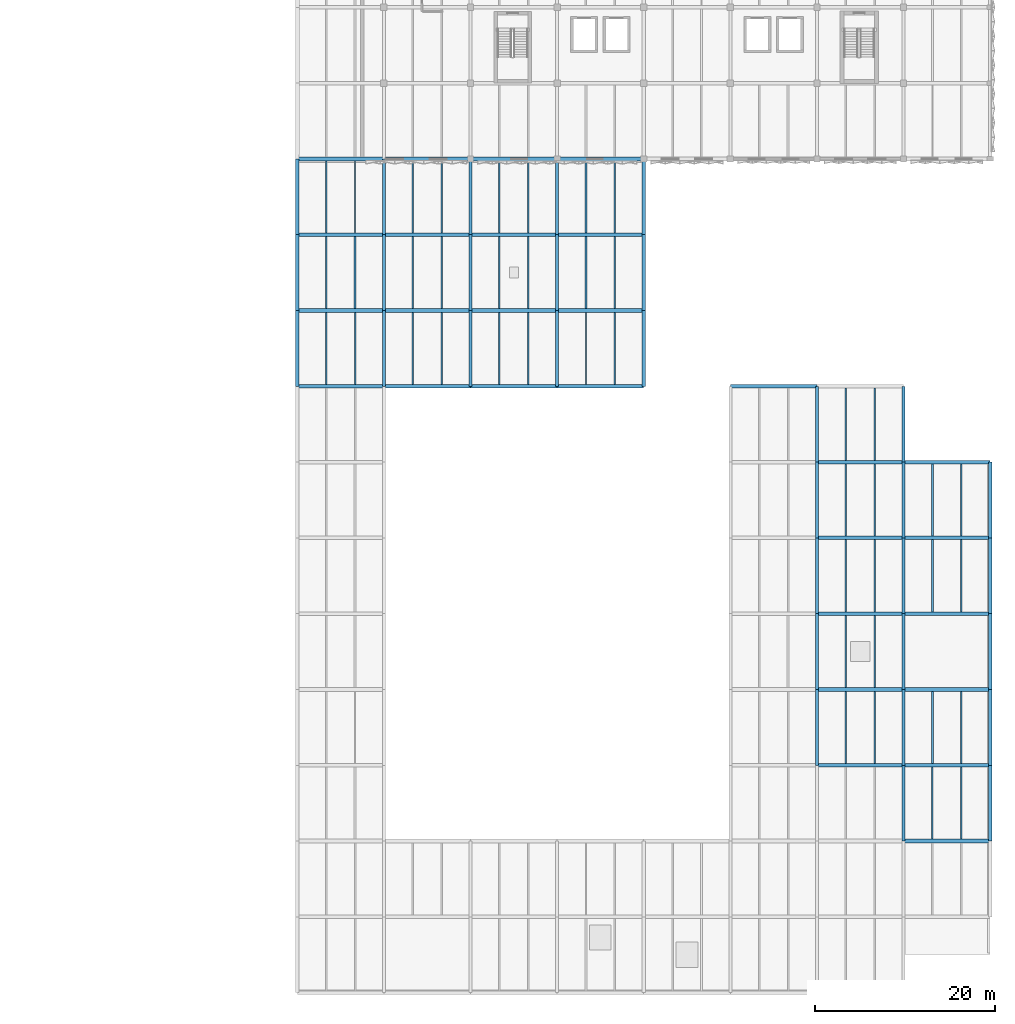
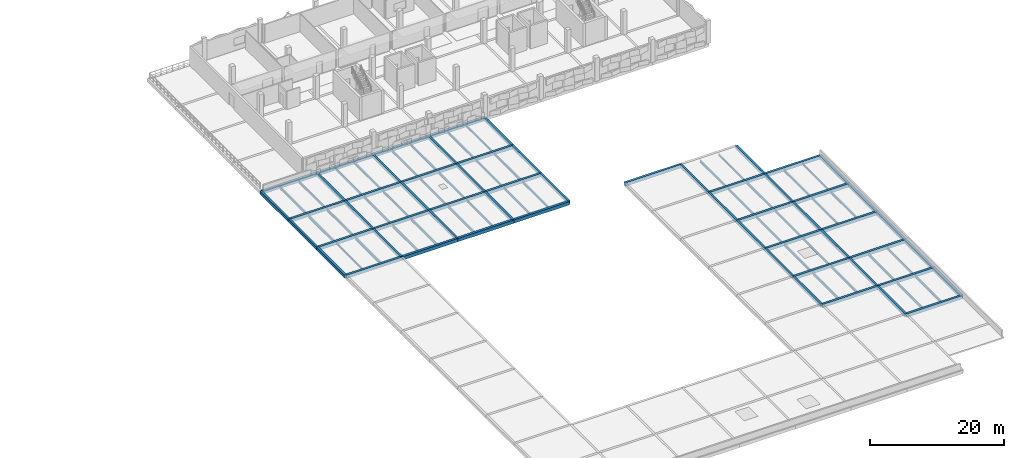
# One storey, part 5 of 24: 101 beams.
"""IFC4 building model written with IfcOpenShell, lengths in metres."""

from ifc_helpers import new_model, si_unit, direction, frame, origin, origin_2d, place, context, subcontext, project, spatial, rectangle, i_section, extrude, material, material_profile, profile_set, type_object, element, save


model = new_model("IFC4")

# Units and contexts
model_context = context("Model", 3, precision=1e-05, world=origin(), true_north=direction((0.0, 1.0)))
body_context = subcontext(model_context, "Body", "Model", "MODEL_VIEW")
ifc_project = project(units=[si_unit("LENGTHUNIT", "METRE"), si_unit("AREAUNIT", "SQUARE_METRE"), si_unit("VOLUMEUNIT", "CUBIC_METRE"), si_unit("PLANEANGLEUNIT", "RADIAN"), si_unit("MASSUNIT", "GRAM", prefix="KILO")], contexts=[model_context])

# Site, building, storey
site_placement = place(None, origin())
site = spatial("IfcSite", under=ifc_project, at=site_placement, CompositionType="ELEMENT")
building_placement = place(site_placement, origin())
building = spatial("IfcBuilding", under=site, at=building_placement, Name="Oolite Switchyard Hospital", CompositionType="ELEMENT")
storey_placement = place(building_placement, frame((0.0, 0.0, 22.0)))
storey = spatial("IfcBuildingStorey", under=building, at=storey_placement, Name="L05", CompositionType="ELEMENT", Elevation=22.0)

# Beams
ifc_material_1 = material(Name="Concrete C40/50", Category="concrete")
ifc_material_profile_1 = material_profile(ifc_material_1, rectangle(XDim=0.35009765625, YDim=0.550048828125, at=origin_2d()), Name="RCB350X550")
ifc_profile_set_1 = profile_set([ifc_material_profile_1], Name="Concrete C40/50")
beam_type_1 = type_object("IfcBeamType", Name="BM-RC350X550", PredefinedType="BEAM", material=ifc_profile_set_1)
for number, where, z_axis, x_axis, name in (
    (1, (134.39990234375, 75.60009765625, -0.27490234375), (0.0, 1.0, 0.0), (-1.0, 0.0, 0.0), "L05 Y-Girder 3476"),
    (2, (134.39990234375, 84.0, -0.27490234375), (0.0, 1.0, 0.0), (-1.0, 0.0, 0.0), "L05 Y-Girder 3477"),
):
    element("IfcBeam", number, at=place(storey_placement, frame(where, z_axis=z_axis, x_axis=x_axis)), inside=storey, type_object=beam_type_1, Name=name, PredefinedType="BEAM", context=body_context, shape_type="SweptSolid", body=[
        extrude(rectangle(XDim=0.35009765625, YDim=0.550048828125, at=origin_2d()), origin(), (0.0, 0.0, 1.0), 8.39990234375),
    ])
beam_1_placement = place(storey_placement, frame((134.39990234375, 92.39990234375, -0.27490234375), z_axis=(0.0, 1.0, 0.0), x_axis=(-1.0, 0.0, 0.0)))
element("IfcBeam", 3, at=beam_1_placement, inside=storey, type_object=beam_type_1, Name="L05 Y-Girder 3478", PredefinedType="BEAM", context=body_context, shape_type="SweptSolid", body=[
    extrude(rectangle(XDim=0.35009765625, YDim=0.550048828125, at=origin_2d()), origin(), (0.0, 0.0, 1.0), 8.400146484375),
])
for number, where, z_axis, x_axis, name in (
    (4, (144.0, 75.60009765625, -0.27490234375), (0.0, 1.0, 0.0), (-1.0, 0.0, 0.0), "L05 Y-Girder 3491"),
    (5, (144.0, 84.0, -0.27490234375), (0.0, 1.0, 0.0), (-1.0, 0.0, 0.0), "L05 Y-Girder 3492"),
):
    element("IfcBeam", number, at=place(storey_placement, frame(where, z_axis=z_axis, x_axis=x_axis)), inside=storey, type_object=beam_type_1, Name=name, PredefinedType="BEAM", context=body_context, shape_type="SweptSolid", body=[
        extrude(rectangle(XDim=0.35009765625, YDim=0.550048828125, at=origin_2d()), origin(), (0.0, 0.0, 1.0), 8.39990234375),
    ])
beam_2_placement = place(storey_placement, frame((144.0, 92.39990234375, -0.27490234375), z_axis=(0.0, 1.0, 0.0), x_axis=(-1.0, 0.0, 0.0)))
element("IfcBeam", 6, at=beam_2_placement, inside=storey, type_object=beam_type_1, Name="L05 Y-Girder 3493", PredefinedType="BEAM", context=body_context, shape_type="SweptSolid", body=[
    extrude(rectangle(XDim=0.35009765625, YDim=0.550048828125, at=origin_2d()), origin(), (0.0, 0.0, 1.0), 8.400146484375),
])
for number, where, z_axis, x_axis, name in (
    (7, (153.60009765625, 75.60009765625, -0.27490234375), (0.0, 1.0, 0.0), (-1.0, 0.0, 0.0), "L05 Y-Girder 3500"),
    (8, (153.60009765625, 84.0, -0.27490234375), (0.0, 1.0, 0.0), (-1.0, 0.0, 0.0), "L05 Y-Girder 3501"),
):
    element("IfcBeam", number, at=place(storey_placement, frame(where, z_axis=z_axis, x_axis=x_axis)), inside=storey, type_object=beam_type_1, Name=name, PredefinedType="BEAM", context=body_context, shape_type="SweptSolid", body=[
        extrude(rectangle(XDim=0.35009765625, YDim=0.550048828125, at=origin_2d()), origin(), (0.0, 0.0, 1.0), 8.39990234375),
    ])
beam_3_placement = place(storey_placement, frame((153.60009765625, 92.39990234375, -0.27490234375), z_axis=(0.0, 1.0, 0.0), x_axis=(-1.0, 0.0, 0.0)))
element("IfcBeam", 9, at=beam_3_placement, inside=storey, type_object=beam_type_1, Name="L05 Y-Girder 3502", PredefinedType="BEAM", context=body_context, shape_type="SweptSolid", body=[
    extrude(rectangle(XDim=0.35009765625, YDim=0.550048828125, at=origin_2d()), origin(), (0.0, 0.0, 1.0), 8.400146484375),
])
for number, where, z_axis, x_axis, name in (
    (10, (163.199951171875, 75.60009765625, -0.27490234375), (0.0, 1.0, 0.0), (-1.0, 0.0, 0.0), "L05 Y-Girder 3509"),
    (11, (163.199951171875, 84.0, -0.27490234375), (0.0, 1.0, 0.0), (-1.0, 0.0, 0.0), "L05 Y-Girder 3510"),
):
    element("IfcBeam", number, at=place(storey_placement, frame(where, z_axis=z_axis, x_axis=x_axis)), inside=storey, type_object=beam_type_1, Name=name, PredefinedType="BEAM", context=body_context, shape_type="SweptSolid", body=[
        extrude(rectangle(XDim=0.35009765625, YDim=0.550048828125, at=origin_2d()), origin(), (0.0, 0.0, 1.0), 8.39990234375),
    ])
beam_4_placement = place(storey_placement, frame((163.199951171875, 92.39990234375, -0.27490234375), z_axis=(0.0, 1.0, 0.0), x_axis=(-1.0, 0.0, 0.0)))
element("IfcBeam", 12, at=beam_4_placement, inside=storey, type_object=beam_type_1, Name="L05 Y-Girder 3511", PredefinedType="BEAM", context=body_context, shape_type="SweptSolid", body=[
    extrude(rectangle(XDim=0.35009765625, YDim=0.550048828125, at=origin_2d()), origin(), (0.0, 0.0, 1.0), 8.400146484375),
])
for number, where, z_axis, x_axis, name in (
    (13, (172.800048828125, 75.60009765625, -0.27490234375), (0.0, 1.0, 0.0), (-1.0, 0.0, 0.0), "L05 Y-Girder 3518"),
    (14, (172.800048828125, 84.0, -0.27490234375), (0.0, 1.0, 0.0), (-1.0, 0.0, 0.0), "L05 Y-Girder 3519"),
):
    element("IfcBeam", number, at=place(storey_placement, frame(where, z_axis=z_axis, x_axis=x_axis)), inside=storey, type_object=beam_type_1, Name=name, PredefinedType="BEAM", context=body_context, shape_type="SweptSolid", body=[
        extrude(rectangle(XDim=0.35009765625, YDim=0.550048828125, at=origin_2d()), origin(), (0.0, 0.0, 1.0), 8.39990234375),
    ])
beam_5_placement = place(storey_placement, frame((172.800048828125, 92.39990234375, -0.27490234375), z_axis=(0.0, 1.0, 0.0), x_axis=(-1.0, 0.0, 0.0)))
element("IfcBeam", 15, at=beam_5_placement, inside=storey, type_object=beam_type_1, Name="L05 Y-Girder 3520", PredefinedType="BEAM", context=body_context, shape_type="SweptSolid", body=[
    extrude(rectangle(XDim=0.35009765625, YDim=0.550048828125, at=origin_2d()), origin(), (0.0, 0.0, 1.0), 8.400146484375),
])
for number, where, z_axis, x_axis, name in (
    (16, (192.0, 33.60009765625, -0.27490234375), (0.0, 1.0, 0.0), (-1.0, 0.0, 0.0), "L05 Y-Girder 3540"),
    (17, (192.0, 42.0, -0.27490234375), (0.0, 1.0, 0.0), (-1.0, 0.0, 0.0), "L05 Y-Girder 3541"),
):
    element("IfcBeam", number, at=place(storey_placement, frame(where, z_axis=z_axis, x_axis=x_axis)), inside=storey, type_object=beam_type_1, Name=name, PredefinedType="BEAM", context=body_context, shape_type="SweptSolid", body=[
        extrude(rectangle(XDim=0.35009765625, YDim=0.550048828125, at=origin_2d()), origin(), (0.0, 0.0, 1.0), 8.39990234375),
    ])
beam_6_placement = place(storey_placement, frame((192.0, 50.39990234375, -0.27490234375), z_axis=(0.0, 1.0, 0.0), x_axis=(-1.0, 0.0, 0.0)))
element("IfcBeam", 18, at=beam_6_placement, inside=storey, type_object=beam_type_1, Name="L05 Y-Girder 3542", PredefinedType="BEAM", context=body_context, shape_type="SweptSolid", body=[
    extrude(rectangle(XDim=0.35009765625, YDim=0.550048828125, at=origin_2d()), origin(), (0.0, 0.0, 1.0), 8.400146484375),
])
beam_7_placement = place(storey_placement, frame((192.0, 58.800048828125, -0.27490234375), z_axis=(0.0, 1.0, 0.0), x_axis=(-1.0, 0.0, 0.0)))
element("IfcBeam", 19, at=beam_7_placement, inside=storey, type_object=beam_type_1, Name="L05 Y-Girder 3543", PredefinedType="BEAM", context=body_context, shape_type="SweptSolid", body=[
    extrude(rectangle(XDim=0.35009765625, YDim=0.550048828125, at=origin_2d()), origin(), (0.0, 0.0, 1.0), 8.39990234375),
])
for number, where, z_axis, x_axis, name in (
    (20, (192.0, 67.199951171875, -0.27490234375), (0.0, 1.0, 0.0), (-1.0, 0.0, 0.0), "L05 Y-Girder 3544"),
    (21, (201.60009765625, 25.199951171875, -0.27490234375), (0.0, 1.0, 0.0), (-1.0, 0.0, 0.0), "L05 Y-Girder 3551"),
):
    element("IfcBeam", number, at=place(storey_placement, frame(where, z_axis=z_axis, x_axis=x_axis)), inside=storey, type_object=beam_type_1, Name=name, PredefinedType="BEAM", context=body_context, shape_type="SweptSolid", body=[
        extrude(rectangle(XDim=0.35009765625, YDim=0.550048828125, at=origin_2d()), origin(), (0.0, 0.0, 1.0), 8.400146484375),
    ])
for number, where, z_axis, x_axis, name in (
    (22, (201.60009765625, 33.60009765625, -0.27490234375), (0.0, 1.0, 0.0), (-1.0, 0.0, 0.0), "L05 Y-Girder 3552"),
    (23, (201.60009765625, 42.0, -0.27490234375), (0.0, 1.0, 0.0), (-1.0, 0.0, 0.0), "L05 Y-Girder 3553"),
):
    element("IfcBeam", number, at=place(storey_placement, frame(where, z_axis=z_axis, x_axis=x_axis)), inside=storey, type_object=beam_type_1, Name=name, PredefinedType="BEAM", context=body_context, shape_type="SweptSolid", body=[
        extrude(rectangle(XDim=0.35009765625, YDim=0.550048828125, at=origin_2d()), origin(), (0.0, 0.0, 1.0), 8.39990234375),
    ])
beam_8_placement = place(storey_placement, frame((201.60009765625, 50.39990234375, -0.27490234375), z_axis=(0.0, 1.0, 0.0), x_axis=(-1.0, 0.0, 0.0)))
element("IfcBeam", 24, at=beam_8_placement, inside=storey, type_object=beam_type_1, Name="L05 Y-Girder 3554", PredefinedType="BEAM", context=body_context, shape_type="SweptSolid", body=[
    extrude(rectangle(XDim=0.35009765625, YDim=0.550048828125, at=origin_2d()), origin(), (0.0, 0.0, 1.0), 8.400146484375),
])
beam_9_placement = place(storey_placement, frame((201.60009765625, 58.800048828125, -0.27490234375), z_axis=(0.0, 1.0, 0.0), x_axis=(-1.0, 0.0, 0.0)))
element("IfcBeam", 25, at=beam_9_placement, inside=storey, type_object=beam_type_1, Name="L05 Y-Girder 3555", PredefinedType="BEAM", context=body_context, shape_type="SweptSolid", body=[
    extrude(rectangle(XDim=0.35009765625, YDim=0.550048828125, at=origin_2d()), origin(), (0.0, 0.0, 1.0), 8.39990234375),
])
beam_10_placement = place(storey_placement, frame((201.60009765625, 67.199951171875, -0.27490234375), z_axis=(0.0, 1.0, 0.0), x_axis=(-1.0, 0.0, 0.0)))
element("IfcBeam", 26, at=beam_10_placement, inside=storey, type_object=beam_type_1, Name="L05 Y-Girder 3556", PredefinedType="BEAM", context=body_context, shape_type="SweptSolid", body=[
    extrude(rectangle(XDim=0.35009765625, YDim=0.550048828125, at=origin_2d()), origin(), (0.0, 0.0, 1.0), 8.400146484375),
])
ifc_material_profile_2 = material_profile(ifc_material_1, rectangle(XDim=0.39990234375, YDim=0.60009765625, at=origin_2d()), Name="RCB400X600")
ifc_profile_set_2 = profile_set([ifc_material_profile_2], Name="Concrete C40/50")
beam_type_2 = type_object("IfcBeamType", Name="BM-RC400X600", PredefinedType="BEAM", material=ifc_profile_set_2)
beam_11_placement = place(storey_placement, frame((201.60009765625, 25.199951171875, -0.300048828125), z_axis=(1.0, 0.0, 0.0), x_axis=(0.0, 1.0, 0.0)))
element("IfcBeam", 27, at=beam_11_placement, inside=storey, type_object=beam_type_2, Name="L05 X-Girder 3353", PredefinedType="BEAM", context=body_context, shape_type="SweptSolid", body=[
    extrude(rectangle(XDim=0.39990234375, YDim=0.60009765625, at=origin_2d()), origin(), (0.0, 0.0, 1.0), 9.599853515625),
])
beam_12_placement = place(storey_placement, frame((192.0, 33.60009765625, -0.300048828125), z_axis=(1.0, 0.0, 0.0), x_axis=(0.0, 1.0, 0.0)))
element("IfcBeam", 28, at=beam_12_placement, inside=storey, type_object=beam_type_2, Name="L05 X-Girder 3358", PredefinedType="BEAM", context=body_context, shape_type="SweptSolid", body=[
    extrude(rectangle(XDim=0.39990234375, YDim=0.60009765625, at=origin_2d()), origin(), (0.0, 0.0, 1.0), 9.60009765625),
])
beam_13_placement = place(storey_placement, frame((201.60009765625, 33.60009765625, -0.300048828125), z_axis=(1.0, 0.0, 0.0), x_axis=(0.0, 1.0, 0.0)))
element("IfcBeam", 29, at=beam_13_placement, inside=storey, type_object=beam_type_2, Name="L05 X-Girder 3359", PredefinedType="BEAM", context=body_context, shape_type="SweptSolid", body=[
    extrude(rectangle(XDim=0.39990234375, YDim=0.60009765625, at=origin_2d()), origin(), (0.0, 0.0, 1.0), 9.599853515625),
])
beam_14_placement = place(storey_placement, frame((192.0, 42.0, -0.300048828125), z_axis=(1.0, 0.0, 0.0), x_axis=(0.0, 1.0, 0.0)))
element("IfcBeam", 30, at=beam_14_placement, inside=storey, type_object=beam_type_2, Name="L05 X-Girder 3365", PredefinedType="BEAM", context=body_context, shape_type="SweptSolid", body=[
    extrude(rectangle(XDim=0.39990234375, YDim=0.60009765625, at=origin_2d()), origin(), (0.0, 0.0, 1.0), 9.60009765625),
])
beam_15_placement = place(storey_placement, frame((201.60009765625, 42.0, -0.300048828125), z_axis=(1.0, 0.0, 0.0), x_axis=(0.0, 1.0, 0.0)))
element("IfcBeam", 31, at=beam_15_placement, inside=storey, type_object=beam_type_2, Name="L05 X-Girder 3366", PredefinedType="BEAM", context=body_context, shape_type="SweptSolid", body=[
    extrude(rectangle(XDim=0.39990234375, YDim=0.60009765625, at=origin_2d()), origin(), (0.0, 0.0, 1.0), 9.599853515625),
])
beam_16_placement = place(storey_placement, frame((192.0, 50.39990234375, -0.300048828125), z_axis=(1.0, 0.0, 0.0), x_axis=(0.0, 1.0, 0.0)))
element("IfcBeam", 32, at=beam_16_placement, inside=storey, type_object=beam_type_2, Name="L05 X-Girder 3372", PredefinedType="BEAM", context=body_context, shape_type="SweptSolid", body=[
    extrude(rectangle(XDim=0.39990234375, YDim=0.60009765625, at=origin_2d()), origin(), (0.0, 0.0, 1.0), 9.60009765625),
])
beam_17_placement = place(storey_placement, frame((201.60009765625, 50.39990234375, -0.300048828125), z_axis=(1.0, 0.0, 0.0), x_axis=(0.0, 1.0, 0.0)))
element("IfcBeam", 33, at=beam_17_placement, inside=storey, type_object=beam_type_2, Name="L05 X-Girder 3373", PredefinedType="BEAM", context=body_context, shape_type="SweptSolid", body=[
    extrude(rectangle(XDim=0.39990234375, YDim=0.60009765625, at=origin_2d()), origin(), (0.0, 0.0, 1.0), 9.599853515625),
])
beam_18_placement = place(storey_placement, frame((192.0, 58.800048828125, -0.300048828125), z_axis=(1.0, 0.0, 0.0), x_axis=(0.0, 1.0, 0.0)))
element("IfcBeam", 34, at=beam_18_placement, inside=storey, type_object=beam_type_2, Name="L05 X-Girder 3379", PredefinedType="BEAM", context=body_context, shape_type="SweptSolid", body=[
    extrude(rectangle(XDim=0.39990234375, YDim=0.60009765625, at=origin_2d()), origin(), (0.0, 0.0, 1.0), 9.60009765625),
])
beam_19_placement = place(storey_placement, frame((201.60009765625, 58.800048828125, -0.300048828125), z_axis=(1.0, 0.0, 0.0), x_axis=(0.0, 1.0, 0.0)))
element("IfcBeam", 35, at=beam_19_placement, inside=storey, type_object=beam_type_2, Name="L05 X-Girder 3380", PredefinedType="BEAM", context=body_context, shape_type="SweptSolid", body=[
    extrude(rectangle(XDim=0.39990234375, YDim=0.60009765625, at=origin_2d()), origin(), (0.0, 0.0, 1.0), 9.599853515625),
])
beam_20_placement = place(storey_placement, frame((192.0, 67.199951171875, -0.300048828125), z_axis=(1.0, 0.0, 0.0), x_axis=(0.0, 1.0, 0.0)))
element("IfcBeam", 36, at=beam_20_placement, inside=storey, type_object=beam_type_2, Name="L05 X-Girder 3386", PredefinedType="BEAM", context=body_context, shape_type="SweptSolid", body=[
    extrude(rectangle(XDim=0.39990234375, YDim=0.60009765625, at=origin_2d()), origin(), (0.0, 0.0, 1.0), 9.60009765625),
])
beam_21_placement = place(storey_placement, frame((201.60009765625, 67.199951171875, -0.300048828125), z_axis=(1.0, 0.0, 0.0), x_axis=(0.0, 1.0, 0.0)))
element("IfcBeam", 37, at=beam_21_placement, inside=storey, type_object=beam_type_2, Name="L05 X-Girder 3387", PredefinedType="BEAM", context=body_context, shape_type="SweptSolid", body=[
    extrude(rectangle(XDim=0.39990234375, YDim=0.60009765625, at=origin_2d()), origin(), (0.0, 0.0, 1.0), 9.599853515625),
])
for number, where, z_axis, x_axis, name in (
    (38, (134.39990234375, 75.60009765625, -0.300048828125), (1.0, 0.0, 0.0), (0.0, 1.0, 0.0), "L05 X-Girder 3391"),
    (39, (144.0, 75.60009765625, -0.300048828125), (1.0, 0.0, 0.0), (0.0, 1.0, 0.0), "L05 X-Girder 3392"),
):
    element("IfcBeam", number, at=place(storey_placement, frame(where, z_axis=z_axis, x_axis=x_axis)), inside=storey, type_object=beam_type_2, Name=name, PredefinedType="BEAM", context=body_context, shape_type="SweptSolid", body=[
        extrude(rectangle(XDim=0.39990234375, YDim=0.60009765625, at=origin_2d()), origin(), (0.0, 0.0, 1.0), 9.60009765625),
    ])
beam_22_placement = place(storey_placement, frame((153.60009765625, 75.60009765625, -0.300048828125), z_axis=(1.0, 0.0, 0.0), x_axis=(0.0, 1.0, 0.0)))
element("IfcBeam", 40, at=beam_22_placement, inside=storey, type_object=beam_type_2, Name="L05 X-Girder 3393", PredefinedType="BEAM", context=body_context, shape_type="SweptSolid", body=[
    extrude(rectangle(XDim=0.39990234375, YDim=0.60009765625, at=origin_2d()), origin(), (0.0, 0.0, 1.0), 9.599853515625),
])
for number, where, z_axis, x_axis, name in (
    (41, (163.199951171875, 75.60009765625, -0.300048828125), (1.0, 0.0, 0.0), (0.0, 1.0, 0.0), "L05 X-Girder 3394"),
    (42, (182.39990234375, 75.60009765625, -0.300048828125), (1.0, 0.0, 0.0), (0.0, 1.0, 0.0), "L05 X-Girder 3395"),
    (43, (134.39990234375, 84.0, -0.300048828125), (1.0, 0.0, 0.0), (0.0, 1.0, 0.0), "L05 X-Girder 3399"),
    (44, (144.0, 84.0, -0.300048828125), (1.0, 0.0, 0.0), (0.0, 1.0, 0.0), "L05 X-Girder 3400"),
):
    element("IfcBeam", number, at=place(storey_placement, frame(where, z_axis=z_axis, x_axis=x_axis)), inside=storey, type_object=beam_type_2, Name=name, PredefinedType="BEAM", context=body_context, shape_type="SweptSolid", body=[
        extrude(rectangle(XDim=0.39990234375, YDim=0.60009765625, at=origin_2d()), origin(), (0.0, 0.0, 1.0), 9.60009765625),
    ])
beam_23_placement = place(storey_placement, frame((153.60009765625, 84.0, -0.300048828125), z_axis=(1.0, 0.0, 0.0), x_axis=(0.0, 1.0, 0.0)))
element("IfcBeam", 45, at=beam_23_placement, inside=storey, type_object=beam_type_2, Name="L05 X-Girder 3401", PredefinedType="BEAM", context=body_context, shape_type="SweptSolid", body=[
    extrude(rectangle(XDim=0.39990234375, YDim=0.60009765625, at=origin_2d()), origin(), (0.0, 0.0, 1.0), 9.599853515625),
])
for number, where, z_axis, x_axis, name in (
    (46, (163.199951171875, 84.0, -0.300048828125), (1.0, 0.0, 0.0), (0.0, 1.0, 0.0), "L05 X-Girder 3402"),
    (47, (134.39990234375, 92.39990234375, -0.300048828125), (1.0, 0.0, 0.0), (0.0, 1.0, 0.0), "L05 X-Girder 3403"),
    (48, (144.0, 92.39990234375, -0.300048828125), (1.0, 0.0, 0.0), (0.0, 1.0, 0.0), "L05 X-Girder 3404"),
):
    element("IfcBeam", number, at=place(storey_placement, frame(where, z_axis=z_axis, x_axis=x_axis)), inside=storey, type_object=beam_type_2, Name=name, PredefinedType="BEAM", context=body_context, shape_type="SweptSolid", body=[
        extrude(rectangle(XDim=0.39990234375, YDim=0.60009765625, at=origin_2d()), origin(), (0.0, 0.0, 1.0), 9.60009765625),
    ])
beam_24_placement = place(storey_placement, frame((153.60009765625, 92.39990234375, -0.300048828125), z_axis=(1.0, 0.0, 0.0), x_axis=(0.0, 1.0, 0.0)))
element("IfcBeam", 49, at=beam_24_placement, inside=storey, type_object=beam_type_2, Name="L05 X-Girder 3405", PredefinedType="BEAM", context=body_context, shape_type="SweptSolid", body=[
    extrude(rectangle(XDim=0.39990234375, YDim=0.60009765625, at=origin_2d()), origin(), (0.0, 0.0, 1.0), 9.599853515625),
])
for number, where, z_axis, x_axis, name in (
    (50, (163.199951171875, 92.39990234375, -0.300048828125), (1.0, 0.0, 0.0), (0.0, 1.0, 0.0), "L05 X-Girder 3406"),
    (51, (134.39990234375, 100.800048828125, -0.300048828125), (1.0, 0.0, 0.0), (0.0, 1.0, 0.0), "L05 X-Girder 3407"),
    (52, (144.0, 100.800048828125, -0.300048828125), (1.0, 0.0, 0.0), (0.0, 1.0, 0.0), "L05 X-Girder 3408"),
):
    element("IfcBeam", number, at=place(storey_placement, frame(where, z_axis=z_axis, x_axis=x_axis)), inside=storey, type_object=beam_type_2, Name=name, PredefinedType="BEAM", context=body_context, shape_type="SweptSolid", body=[
        extrude(rectangle(XDim=0.39990234375, YDim=0.60009765625, at=origin_2d()), origin(), (0.0, 0.0, 1.0), 9.60009765625),
    ])
beam_25_placement = place(storey_placement, frame((153.60009765625, 100.800048828125, -0.300048828125), z_axis=(1.0, 0.0, 0.0), x_axis=(0.0, 1.0, 0.0)))
element("IfcBeam", 53, at=beam_25_placement, inside=storey, type_object=beam_type_2, Name="L05 X-Girder 3409", PredefinedType="BEAM", context=body_context, shape_type="SweptSolid", body=[
    extrude(rectangle(XDim=0.39990234375, YDim=0.60009765625, at=origin_2d()), origin(), (0.0, 0.0, 1.0), 9.599853515625),
])
beam_26_placement = place(storey_placement, frame((163.199951171875, 100.800048828125, -0.300048828125), z_axis=(1.0, 0.0, 0.0), x_axis=(0.0, 1.0, 0.0)))
element("IfcBeam", 54, at=beam_26_placement, inside=storey, type_object=beam_type_2, Name="L05 X-Girder 3410", PredefinedType="BEAM", context=body_context, shape_type="SweptSolid", body=[
    extrude(rectangle(XDim=0.39990234375, YDim=0.60009765625, at=origin_2d()), origin(), (0.0, 0.0, 1.0), 9.60009765625),
])
beam_27_placement = place(storey_placement, frame((211.199951171875, 25.199951171875, -0.300048828125), z_axis=(0.0, 1.0, 0.0), x_axis=(-1.0, 0.0, 0.0)))
element("IfcBeam", 55, at=beam_27_placement, inside=storey, type_object=beam_type_2, Name="L05 Y-Girder 3562", PredefinedType="BEAM", context=body_context, shape_type="SweptSolid", body=[
    extrude(rectangle(XDim=0.39990234375, YDim=0.60009765625, at=origin_2d()), origin(), (0.0, 0.0, 1.0), 8.400146484375),
])
for number, where, z_axis, x_axis, name in (
    (56, (211.199951171875, 33.60009765625, -0.300048828125), (0.0, 1.0, 0.0), (-1.0, 0.0, 0.0), "L05 Y-Girder 3563"),
    (57, (211.199951171875, 42.0, -0.300048828125), (0.0, 1.0, 0.0), (-1.0, 0.0, 0.0), "L05 Y-Girder 3564"),
):
    element("IfcBeam", number, at=place(storey_placement, frame(where, z_axis=z_axis, x_axis=x_axis)), inside=storey, type_object=beam_type_2, Name=name, PredefinedType="BEAM", context=body_context, shape_type="SweptSolid", body=[
        extrude(rectangle(XDim=0.39990234375, YDim=0.60009765625, at=origin_2d()), origin(), (0.0, 0.0, 1.0), 8.39990234375),
    ])
beam_28_placement = place(storey_placement, frame((211.199951171875, 50.39990234375, -0.300048828125), z_axis=(0.0, 1.0, 0.0), x_axis=(-1.0, 0.0, 0.0)))
element("IfcBeam", 58, at=beam_28_placement, inside=storey, type_object=beam_type_2, Name="L05 Y-Girder 3565", PredefinedType="BEAM", context=body_context, shape_type="SweptSolid", body=[
    extrude(rectangle(XDim=0.39990234375, YDim=0.60009765625, at=origin_2d()), origin(), (0.0, 0.0, 1.0), 8.400146484375),
])
beam_29_placement = place(storey_placement, frame((211.199951171875, 58.800048828125, -0.300048828125), z_axis=(0.0, 1.0, 0.0), x_axis=(-1.0, 0.0, 0.0)))
element("IfcBeam", 59, at=beam_29_placement, inside=storey, type_object=beam_type_2, Name="L05 Y-Girder 3566", PredefinedType="BEAM", context=body_context, shape_type="SweptSolid", body=[
    extrude(rectangle(XDim=0.39990234375, YDim=0.60009765625, at=origin_2d()), origin(), (0.0, 0.0, 1.0), 8.39990234375),
])
ifc_material_2 = material(Name="Steel ASTM A992 Grade 50", Category="steel")
ifc_material_profile_3 = material_profile(ifc_material_2, i_section(OverallWidth=0.1650390625, OverallDepth=0.31005859375, WebThickness=0.006103515625, FlangeThickness=0.010009765625, at=origin_2d()), Name="W12X26")
ifc_profile_set_3 = profile_set([ifc_material_profile_3], Name="Steel ASTM A992 Grade 50")
beam_type_3 = type_object("IfcBeamType", Name="BM-W12X26", PredefinedType="JOIST", material=ifc_profile_set_3)
beam_30_placement = place(storey_placement, frame((137.60009765625, 75.800048828125, -0.389892578125), z_axis=(0.0, 1.0, 0.0), x_axis=(-1.0, 0.0, 0.0)))
element("IfcBeam", 60, at=beam_30_placement, inside=storey, type_object=beam_type_3, Name="L05 Secondary Steel Joist 3613", PredefinedType="JOIST", context=body_context, shape_type="SweptSolid", body=[
    extrude(i_section(OverallWidth=0.1650390625, OverallDepth=0.31005859375, WebThickness=0.006103515625, FlangeThickness=0.010009765625, at=origin_2d()), origin(), (0.0, 0.0, 1.0), 8.0),
])
ifc_material_profile_4 = material_profile(ifc_material_2, i_section(OverallWidth=0.1708984375, OverallDepth=0.35107421875, WebThickness=0.007080078125, FlangeThickness=0.010009765625, at=origin_2d()), Name="W14X30")
ifc_profile_set_4 = profile_set([ifc_material_profile_4], Name="Steel ASTM A992 Grade 50")
beam_type_4 = type_object("IfcBeamType", Name="BM-W14X30", PredefinedType="JOIST", material=ifc_profile_set_4)
for number, where, z_axis, x_axis, name in (
    (61, (169.60009765625, 92.60009765625, -0.409912109375), (0.0, 1.0, 0.0), (-1.0, 0.0, 0.0), "L05 Secondary Steel Joist 3668"),
    (62, (198.39990234375, 67.39990234375, -0.409912109375), (0.0, 1.0, 0.0), (-1.0, 0.0, 0.0), "L05 Secondary Steel Joist 3722"),
    (63, (208.0, 59.0, -0.409912109375), (0.0, 1.0, 0.0), (-1.0, 0.0, 0.0), "L05 Secondary Steel Joist 3738"),
):
    element("IfcBeam", number, at=place(storey_placement, frame(where, z_axis=z_axis, x_axis=x_axis)), inside=storey, type_object=beam_type_4, Name=name, PredefinedType="JOIST", context=body_context, shape_type="SweptSolid", body=[
        extrude(i_section(OverallWidth=0.1708984375, OverallDepth=0.35107421875, WebThickness=0.007080078125, FlangeThickness=0.010009765625, at=origin_2d()), origin(), (0.0, 0.0, 1.0), 8.0),
    ])
ifc_material_profile_5 = material_profile(ifc_material_2, i_section(OverallWidth=0.177978515625, OverallDepth=0.403076171875, WebThickness=0.008056640625, FlangeThickness=0.010986328125, at=origin_2d()), Name="W16X36")
ifc_profile_set_5 = profile_set([ifc_material_profile_5], Name="Steel ASTM A992 Grade 50")
beam_type_5 = type_object("IfcBeamType", Name="BM-W16X36", PredefinedType="JOIST", material=ifc_profile_set_5)
for number, where, z_axis, x_axis, name in (
    (64, (160.0, 92.60009765625, -0.43603515625), (0.0, 1.0, 0.0), (-1.0, 0.0, 0.0), "L05 Secondary Steel Joist 3652"),
    (65, (169.60009765625, 84.199951171875, -0.43603515625), (0.0, 1.0, 0.0), (-1.0, 0.0, 0.0), "L05 Secondary Steel Joist 3666"),
    (66, (166.39990234375, 92.60009765625, -0.43603515625), (0.0, 1.0, 0.0), (-1.0, 0.0, 0.0), "L05 Secondary Steel Joist 3667"),
    (67, (198.39990234375, 59.0, -0.43603515625), (0.0, 1.0, 0.0), (-1.0, 0.0, 0.0), "L05 Secondary Steel Joist 3720"),
    (68, (195.199951171875, 67.39990234375, -0.43603515625), (0.0, 1.0, 0.0), (-1.0, 0.0, 0.0), "L05 Secondary Steel Joist 3721"),
    (69, (208.0, 50.60009765625, -0.43603515625), (0.0, 1.0, 0.0), (-1.0, 0.0, 0.0), "L05 Secondary Steel Joist 3736"),
    (70, (204.800048828125, 59.0, -0.43603515625), (0.0, 1.0, 0.0), (-1.0, 0.0, 0.0), "L05 Secondary Steel Joist 3737"),
):
    element("IfcBeam", number, at=place(storey_placement, frame(where, z_axis=z_axis, x_axis=x_axis)), inside=storey, type_object=beam_type_5, Name=name, PredefinedType="JOIST", context=body_context, shape_type="SweptSolid", body=[
        extrude(i_section(OverallWidth=0.177978515625, OverallDepth=0.403076171875, WebThickness=0.008056640625, FlangeThickness=0.010986328125, at=origin_2d()), origin(), (0.0, 0.0, 1.0), 8.0),
    ])
ifc_material_profile_6 = material_profile(ifc_material_2, i_section(OverallWidth=0.179931640625, OverallDepth=0.4130859375, WebThickness=0.010009765625, FlangeThickness=0.01611328125, at=origin_2d()), Name="W16X50")
ifc_profile_set_6 = profile_set([ifc_material_profile_6], Name="Steel ASTM A992 Grade 50")
beam_type_6 = type_object("IfcBeamType", Name="BM-W16X50", PredefinedType="JOIST", material=ifc_profile_set_6)
for number, where, z_axis, x_axis, name in (
    (71, (150.39990234375, 92.60009765625, -0.44091796875), (0.0, 1.0, 0.0), (-1.0, 0.0, 0.0), "L05 Secondary Steel Joist 3634"),
    (72, (160.0, 84.199951171875, -0.44091796875), (0.0, 1.0, 0.0), (-1.0, 0.0, 0.0), "L05 Secondary Steel Joist 3650"),
    (73, (156.800048828125, 92.60009765625, -0.44091796875), (0.0, 1.0, 0.0), (-1.0, 0.0, 0.0), "L05 Secondary Steel Joist 3651"),
    (74, (169.60009765625, 75.800048828125, -0.44091796875), (0.0, 1.0, 0.0), (-1.0, 0.0, 0.0), "L05 Secondary Steel Joist 3664"),
    (75, (166.39990234375, 84.199951171875, -0.44091796875), (0.0, 1.0, 0.0), (-1.0, 0.0, 0.0), "L05 Secondary Steel Joist 3665"),
    (76, (198.39990234375, 50.60009765625, -0.44091796875), (0.0, 1.0, 0.0), (-1.0, 0.0, 0.0), "L05 Secondary Steel Joist 3718"),
    (77, (195.199951171875, 59.0, -0.44091796875), (0.0, 1.0, 0.0), (-1.0, 0.0, 0.0), "L05 Secondary Steel Joist 3719"),
    (78, (204.800048828125, 50.60009765625, -0.44091796875), (0.0, 1.0, 0.0), (-1.0, 0.0, 0.0), "L05 Secondary Steel Joist 3735"),
):
    element("IfcBeam", number, at=place(storey_placement, frame(where, z_axis=z_axis, x_axis=x_axis)), inside=storey, type_object=beam_type_6, Name=name, PredefinedType="JOIST", context=body_context, shape_type="SweptSolid", body=[
        extrude(i_section(OverallWidth=0.179931640625, OverallDepth=0.4130859375, WebThickness=0.010009765625, FlangeThickness=0.01611328125, at=origin_2d()), origin(), (0.0, 0.0, 1.0), 8.0),
    ])
ifc_material_profile_7 = material_profile(ifc_material_2, i_section(OverallWidth=0.153076171875, OverallDepth=0.455078125, WebThickness=0.008056640625, FlangeThickness=0.012939453125, at=origin_2d()), Name="W18X40")
ifc_profile_set_7 = profile_set([ifc_material_profile_7], Name="Steel ASTM A992 Grade 50")
beam_type_7 = type_object("IfcBeamType", Name="BM-W18X40", PredefinedType="JOIST", material=ifc_profile_set_7)
for number, where, z_axis, x_axis, name in (
    (79, (140.800048828125, 92.60009765625, -0.4619140625), (0.0, 1.0, 0.0), (-1.0, 0.0, 0.0), "L05 Secondary Steel Joist 3618"),
    (80, (150.39990234375, 84.199951171875, -0.4619140625), (0.0, 1.0, 0.0), (-1.0, 0.0, 0.0), "L05 Secondary Steel Joist 3632"),
    (81, (147.199951171875, 92.60009765625, -0.4619140625), (0.0, 1.0, 0.0), (-1.0, 0.0, 0.0), "L05 Secondary Steel Joist 3633"),
    (82, (160.0, 75.800048828125, -0.4619140625), (0.0, 1.0, 0.0), (-1.0, 0.0, 0.0), "L05 Secondary Steel Joist 3648"),
    (83, (156.800048828125, 84.199951171875, -0.4619140625), (0.0, 1.0, 0.0), (-1.0, 0.0, 0.0), "L05 Secondary Steel Joist 3649"),
    (84, (166.39990234375, 75.800048828125, -0.4619140625), (0.0, 1.0, 0.0), (-1.0, 0.0, 0.0), "L05 Secondary Steel Joist 3663"),
    (85, (198.39990234375, 42.199951171875, -0.4619140625), (0.0, 1.0, 0.0), (-1.0, 0.0, 0.0), "L05 Secondary Steel Joist 3716"),
    (86, (195.199951171875, 50.60009765625, -0.4619140625), (0.0, 1.0, 0.0), (-1.0, 0.0, 0.0), "L05 Secondary Steel Joist 3717"),
    (87, (208.0, 33.800048828125, -0.4619140625), (0.0, 1.0, 0.0), (-1.0, 0.0, 0.0), "L05 Secondary Steel Joist 3734"),
):
    element("IfcBeam", number, at=place(storey_placement, frame(where, z_axis=z_axis, x_axis=x_axis)), inside=storey, type_object=beam_type_7, Name=name, PredefinedType="JOIST", context=body_context, shape_type="SweptSolid", body=[
        extrude(i_section(OverallWidth=0.153076171875, OverallDepth=0.455078125, WebThickness=0.008056640625, FlangeThickness=0.012939453125, at=origin_2d()), origin(), (0.0, 0.0, 1.0), 8.0),
    ])
ifc_material_profile_8 = material_profile(ifc_material_2, i_section(OverallWidth=0.19091796875, OverallDepth=0.4599609375, WebThickness=0.010009765625, FlangeThickness=0.01611328125, at=origin_2d()), Name="W18X55")
ifc_profile_set_8 = profile_set([ifc_material_profile_8], Name="Steel ASTM A992 Grade 50")
beam_type_8 = type_object("IfcBeamType", Name="BM-W18X55", PredefinedType="JOIST", material=ifc_profile_set_8)
for number, where, z_axis, x_axis, name in (
    (88, (140.800048828125, 84.199951171875, -0.465087890625), (0.0, 1.0, 0.0), (-1.0, 0.0, 0.0), "L05 Secondary Steel Joist 3616"),
    (89, (137.60009765625, 92.60009765625, -0.465087890625), (0.0, 1.0, 0.0), (-1.0, 0.0, 0.0), "L05 Secondary Steel Joist 3617"),
    (90, (150.39990234375, 75.800048828125, -0.465087890625), (0.0, 1.0, 0.0), (-1.0, 0.0, 0.0), "L05 Secondary Steel Joist 3630"),
    (91, (147.199951171875, 84.199951171875, -0.465087890625), (0.0, 1.0, 0.0), (-1.0, 0.0, 0.0), "L05 Secondary Steel Joist 3631"),
    (92, (156.800048828125, 75.800048828125, -0.465087890625), (0.0, 1.0, 0.0), (-1.0, 0.0, 0.0), "L05 Secondary Steel Joist 3647"),
    (93, (198.39990234375, 33.800048828125, -0.465087890625), (0.0, 1.0, 0.0), (-1.0, 0.0, 0.0), "L05 Secondary Steel Joist 3714"),
    (94, (195.199951171875, 42.199951171875, -0.465087890625), (0.0, 1.0, 0.0), (-1.0, 0.0, 0.0), "L05 Secondary Steel Joist 3715"),
    (95, (208.0, 25.39990234375, -0.465087890625), (0.0, 1.0, 0.0), (-1.0, 0.0, 0.0), "L05 Secondary Steel Joist 3732"),
    (96, (204.800048828125, 33.800048828125, -0.465087890625), (0.0, 1.0, 0.0), (-1.0, 0.0, 0.0), "L05 Secondary Steel Joist 3733"),
):
    element("IfcBeam", number, at=place(storey_placement, frame(where, z_axis=z_axis, x_axis=x_axis)), inside=storey, type_object=beam_type_8, Name=name, PredefinedType="JOIST", context=body_context, shape_type="SweptSolid", body=[
        extrude(i_section(OverallWidth=0.19091796875, OverallDepth=0.4599609375, WebThickness=0.010009765625, FlangeThickness=0.01611328125, at=origin_2d()), origin(), (0.0, 0.0, 1.0), 8.0),
    ])
ifc_material_profile_9 = material_profile(ifc_material_2, i_section(OverallWidth=0.166015625, OverallDepth=0.529052734375, WebThickness=0.010009765625, FlangeThickness=0.013916015625, at=origin_2d()), Name="W21X50")
ifc_profile_set_9 = profile_set([ifc_material_profile_9], Name="Steel ASTM A992 Grade 50")
beam_type_9 = type_object("IfcBeamType", Name="BM-W21X50", PredefinedType="JOIST", material=ifc_profile_set_9)
for number, where, z_axis, x_axis, name in (
    (97, (140.800048828125, 75.800048828125, -0.5), (0.0, 1.0, 0.0), (-1.0, 0.0, 0.0), "L05 Secondary Steel Joist 3614"),
    (98, (137.60009765625, 84.199951171875, -0.5), (0.0, 1.0, 0.0), (-1.0, 0.0, 0.0), "L05 Secondary Steel Joist 3615"),
    (99, (147.199951171875, 75.800048828125, -0.5), (0.0, 1.0, 0.0), (-1.0, 0.0, 0.0), "L05 Secondary Steel Joist 3629"),
    (100, (195.199951171875, 33.800048828125, -0.5), (0.0, 1.0, 0.0), (-1.0, 0.0, 0.0), "L05 Secondary Steel Joist 3713"),
    (101, (204.800048828125, 25.39990234375, -0.5), (0.0, 1.0, 0.0), (-1.0, 0.0, 0.0), "L05 Secondary Steel Joist 3731"),
):
    element("IfcBeam", number, at=place(storey_placement, frame(where, z_axis=z_axis, x_axis=x_axis)), inside=storey, type_object=beam_type_9, Name=name, PredefinedType="JOIST", context=body_context, shape_type="SweptSolid", body=[
        extrude(i_section(OverallWidth=0.166015625, OverallDepth=0.529052734375, WebThickness=0.010009765625, FlangeThickness=0.013916015625, at=origin_2d()), origin(), (0.0, 0.0, 1.0), 8.0),
    ])

save(model, "model.ifc")
